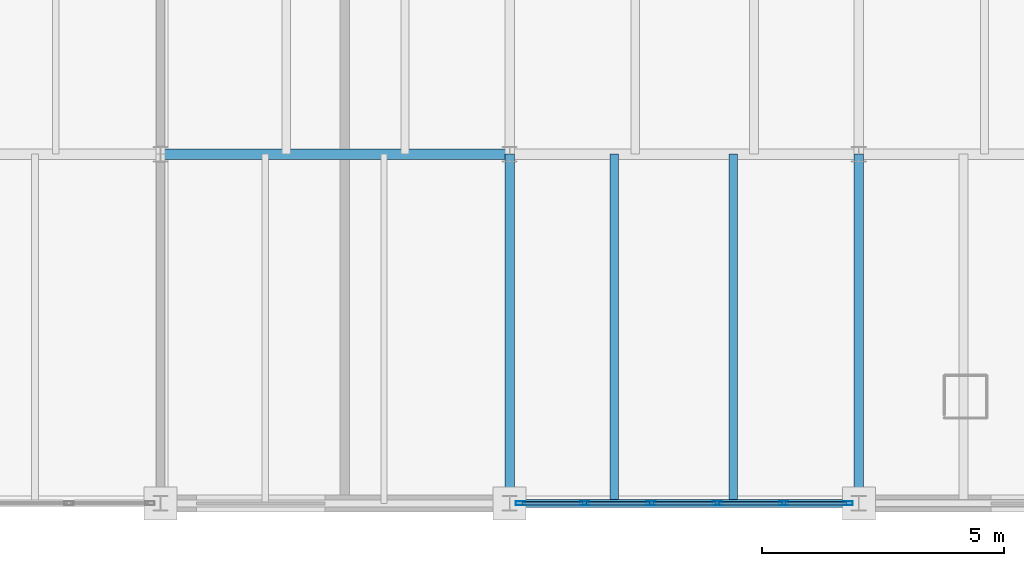
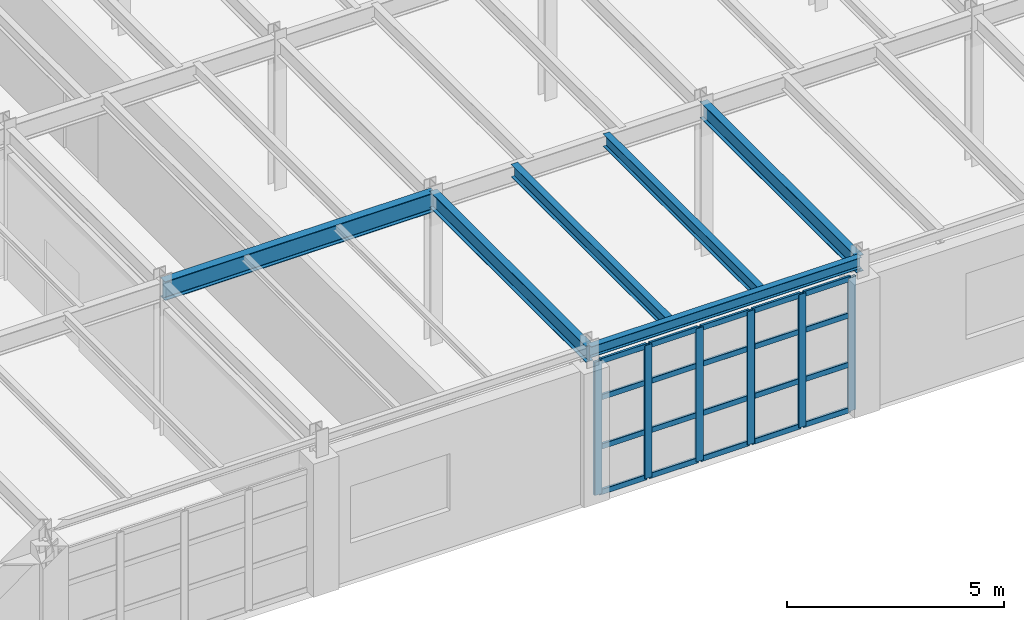
# One storey, part 23 of 137: 26 members, 6 beams, 1 element without a shape of its own.
"""IFC4 building model written with IfcOpenShell, lengths in metres."""

from ifc_helpers import new_model, si_unit, direction, frame, origin, origin_2d, place, context, subcontext, project, spatial, hollow_rectangle, i_section, extrude, material, layer, layer_set, material_profile, profile_set, type_object, element, aggregate, save


model = new_model("IFC4")

# Units and contexts
model_context = context("Model", 3, precision=1e-05, world=origin(), true_north=direction((0.0, 1.0)))
body_context = subcontext(model_context, "Body", "Model", "MODEL_VIEW")
ifc_project = project(units=[si_unit("LENGTHUNIT", "METRE"), si_unit("AREAUNIT", "SQUARE_METRE"), si_unit("VOLUMEUNIT", "CUBIC_METRE"), si_unit("PLANEANGLEUNIT", "RADIAN"), si_unit("MASSUNIT", "GRAM", prefix="KILO")], contexts=[model_context])

# Site, building, storey
site_placement = place(None, origin())
site = spatial("IfcSite", under=ifc_project, at=site_placement, CompositionType="ELEMENT")
building_placement = place(site_placement, origin())
building = spatial("IfcBuilding", under=site, at=building_placement, Name="Kemerveld Promenade Tramway Depot", CompositionType="ELEMENT")
storey_placement = place(building_placement, frame((0.0, 0.0, 5.39990234375)))
storey = spatial("IfcBuildingStorey", under=building, at=storey_placement, Name="L01", CompositionType="ELEMENT", Elevation=5.39990234375)

# Beams
ifc_material_1 = material(Name="Steel S355", Category="steel")
ifc_material_profile_1 = material_profile(ifc_material_1, i_section(OverallWidth=0.2099609375, OverallDepth=0.53662109375, WebThickness=0.0107421875, FlangeThickness=0.017333984375, FilletRadius=0.0126953125, at=origin_2d()), Name="533x210x101 UB")
ifc_profile_set_1 = profile_set([ifc_material_profile_1], Name="Steel S355")
beam_type_1 = type_object("IfcBeamType", Name="BM-G05", PredefinedType="BEAM", material=ifc_profile_set_1)
beam_1_placement = place(storey_placement, frame((14.39990234375, 7.199951171875, 3.99169921875), z_axis=(1.0, 0.0, 0.0), x_axis=(0.0, 1.0, 0.0)))
element("IfcBeam", 1, at=beam_1_placement, inside=storey, type_object=beam_type_1, Name="BMX-L01-03-04-B", PredefinedType="BEAM", context=body_context, shape_type="SweptSolid", body=[
    extrude(i_section(OverallWidth=0.2099609375, OverallDepth=0.53662109375, WebThickness=0.0107421875, FlangeThickness=0.017333984375, FilletRadius=0.0126953125, at=origin_2d()), origin(), (0.0, 0.0, 1.0), 7.2001953125),
])
ifc_material_profile_2 = material_profile(ifc_material_1, i_section(OverallWidth=0.19140625, OverallDepth=0.4599609375, WebThickness=0.010009765625, FlangeThickness=0.01611328125, FilletRadius=0.01025390625, at=origin_2d()), Name="457x191x82 UB")
ifc_profile_set_2 = profile_set([ifc_material_profile_2], Name="Steel S355")
beam_type_2 = type_object("IfcBeamType", Name="BM-G06", PredefinedType="BEAM", material=ifc_profile_set_2)
for number, where, z_axis, x_axis, name in (
    (2, (21.60009765625, 0.0, 4.030029296875), (0.0, 1.0, 0.0), (-1.0, 0.0, 0.0), "BMY-L01-04-A-B"),
    (3, (28.800048828125, 0.0, 4.030029296875), (0.0, 1.0, 0.0), (-1.0, 0.0, 0.0), "BMY-L01-05-A-B"),
):
    element("IfcBeam", number, at=place(storey_placement, frame(where, z_axis=z_axis, x_axis=x_axis)), inside=storey, type_object=beam_type_2, Name=name, PredefinedType="BEAM", context=body_context, shape_type="SweptSolid", body=[
        extrude(i_section(OverallWidth=0.19140625, OverallDepth=0.4599609375, WebThickness=0.010009765625, FlangeThickness=0.01611328125, FilletRadius=0.01025390625, at=origin_2d()), origin(), (0.0, 0.0, 1.0), 7.199951171875),
    ])
ifc_material_profile_3 = material_profile(ifc_material_1, i_section(OverallWidth=0.165771484375, OverallDepth=0.306640625, WebThickness=0.006591796875, FlangeThickness=0.01171875, FilletRadius=0.0087890625, at=origin_2d()), Name="305x165x46 UB")
ifc_profile_set_3 = profile_set([ifc_material_profile_3], Name="Steel S355")
beam_type_3 = type_object("IfcBeamType", Name="BM-G16", PredefinedType="BEAM", material=ifc_profile_set_3)
beam_2_placement = place(storey_placement, frame((21.60009765625, 0.0, 4.106689453125), z_axis=(1.0, 0.0, 0.0), x_axis=(0.0, 1.0, 0.0)))
element("IfcBeam", 4, at=beam_2_placement, inside=storey, type_object=beam_type_3, Name="BMX-L01-04-05-A", PredefinedType="BEAM", context=body_context, shape_type="SweptSolid", body=[
    extrude(i_section(OverallWidth=0.165771484375, OverallDepth=0.306640625, WebThickness=0.006591796875, FlangeThickness=0.01171875, FilletRadius=0.0087890625, at=origin_2d()), origin(), (0.0, 0.0, 1.0), 7.199951171875),
])
ifc_material_profile_4 = material_profile(ifc_material_1, i_section(OverallWidth=0.172119140625, OverallDepth=0.35791015625, WebThickness=0.008056640625, FlangeThickness=0.012939453125, FilletRadius=0.01025390625, at=origin_2d()), Name="356x171x57 UB")
ifc_profile_set_4 = profile_set([ifc_material_profile_4], Name="Steel S355")
beam_type_4 = type_object("IfcBeamType", Name="BM-J04", PredefinedType="JOIST", material=ifc_profile_set_4)
for number, where, z_axis, x_axis, name in (
    (5, (23.760009765625, 0.0, 4.0810546875), (0.0, 1.0, 0.0), (-1.0, 0.0, 0.0), "JST-L01-04-A-1"),
    (6, (26.2080078125, 0.0, 4.0810546875), (0.0, 1.0, 0.0), (-1.0, 0.0, 0.0), "JST-L01-04-A-2"),
):
    element("IfcBeam", number, at=place(storey_placement, frame(where, z_axis=z_axis, x_axis=x_axis)), inside=storey, type_object=beam_type_4, Name=name, PredefinedType="JOIST", context=body_context, shape_type="SweptSolid", body=[
        extrude(i_section(OverallWidth=0.172119140625, OverallDepth=0.35791015625, WebThickness=0.008056640625, FlangeThickness=0.012939453125, FilletRadius=0.01025390625, at=origin_2d()), origin(), (0.0, 0.0, 1.0), 7.199951171875),
    ])

# Curtain wall, members
ifc_material_2 = material(Name="Bronze anodised aluminium and solar glass", Category="aluminium")
ifc_layer = layer(ifc_material_2, 0.199951171875)
ifc_layer_set = layer_set([ifc_layer], Name="CW-SYS-08")
curtain_wall_type = type_object("IfcCurtainWallType", Name="CW-SYS-08", PredefinedType="USERDEFINED", material=ifc_layer_set)
curtain_wall_placement = place(storey_placement, origin())
curtain_wall = element("IfcCurtainWall", 7, at=curtain_wall_placement, inside=storey, type_object=curtain_wall_type, Name="CW-L01-V5S-05", ObjectType="GLAZED_CURTAIN_WALL", PredefinedType="USERDEFINED")
ifc_material_3 = material(Name="Bronze anodised aluminium", Category="aluminium")
ifc_material_profile_5 = material_profile(ifc_material_3, hollow_rectangle(XDim=0.074951171875, YDim=0.199951171875, WallThickness=0.0048828125, InnerFilletRadius=0.001953125, OuterFilletRadius=0.0048828125, at=origin_2d()), Name="CW-MUL-200x75")
ifc_profile_set_5 = profile_set([ifc_material_profile_5], Name="Bronze anodised aluminium")
member_type_1 = type_object("IfcMemberType", Name="CW-MUL-B", PredefinedType="MULLION", material=ifc_profile_set_5)
member_1_placement = place(storey_placement, frame((28.5791015625, 0.0, 0.0), z_axis=(0.0, 0.0, 1.0), x_axis=(0.0, -1.0, 0.0)))
member_1 = element("IfcMember", 8, at=member_1_placement, type_object=member_type_1, Name="CW08 mullion 1", PredefinedType="MULLION", context=body_context, shape_type="SweptSolid", body=[
    extrude(hollow_rectangle(XDim=0.074951171875, YDim=0.199951171875, WallThickness=0.0048828125, InnerFilletRadius=0.001953125, OuterFilletRadius=0.0048828125, at=origin_2d()), origin(), (0.0, 0.0, 1.0), 3.75),
])
member_2_placement = place(storey_placement, frame((27.25, 0.0, 0.0), z_axis=(0.0, 0.0, 1.0), x_axis=(0.0, -1.0, 0.0)))
member_2 = element("IfcMember", 9, at=member_2_placement, type_object=member_type_1, Name="CW08 mullion 2", PredefinedType="MULLION", context=body_context, shape_type="SweptSolid", body=[
    extrude(hollow_rectangle(XDim=0.074951171875, YDim=0.199951171875, WallThickness=0.0048828125, InnerFilletRadius=0.001953125, OuterFilletRadius=0.0048828125, at=origin_2d()), origin(), (0.0, 0.0, 1.0), 3.75),
])
member_3_placement = place(storey_placement, frame((25.88330078125, 0.0, 0.0), z_axis=(0.0, 0.0, 1.0), x_axis=(0.0, -1.0, 0.0)))
member_3 = element("IfcMember", 10, at=member_3_placement, type_object=member_type_1, Name="CW08 mullion 3", PredefinedType="MULLION", context=body_context, shape_type="SweptSolid", body=[
    extrude(hollow_rectangle(XDim=0.074951171875, YDim=0.199951171875, WallThickness=0.0048828125, InnerFilletRadius=0.001953125, OuterFilletRadius=0.0048828125, at=origin_2d()), origin(), (0.0, 0.0, 1.0), 3.75),
])
member_4_placement = place(storey_placement, frame((24.516845703125, 0.0, 0.0), z_axis=(0.0, 0.0, 1.0), x_axis=(0.0, -1.0, 0.0)))
member_4 = element("IfcMember", 11, at=member_4_placement, type_object=member_type_1, Name="CW08 mullion 4", PredefinedType="MULLION", context=body_context, shape_type="SweptSolid", body=[
    extrude(hollow_rectangle(XDim=0.074951171875, YDim=0.199951171875, WallThickness=0.0048828125, InnerFilletRadius=0.001953125, OuterFilletRadius=0.0048828125, at=origin_2d()), origin(), (0.0, 0.0, 1.0), 3.75),
])
member_5_placement = place(storey_placement, frame((23.150146484375, 0.0, 0.0), z_axis=(0.0, 0.0, 1.0), x_axis=(0.0, -1.0, 0.0)))
member_5 = element("IfcMember", 12, at=member_5_placement, type_object=member_type_1, Name="CW08 mullion 5", PredefinedType="MULLION", context=body_context, shape_type="SweptSolid", body=[
    extrude(hollow_rectangle(XDim=0.074951171875, YDim=0.199951171875, WallThickness=0.0048828125, InnerFilletRadius=0.001953125, OuterFilletRadius=0.0048828125, at=origin_2d()), origin(), (0.0, 0.0, 1.0), 3.75),
])
member_6_placement = place(storey_placement, frame((21.821044921875, 0.0, 0.0), z_axis=(0.0, 0.0, 1.0), x_axis=(0.0, -1.0, 0.0)))
member_6 = element("IfcMember", 13, at=member_6_placement, type_object=member_type_1, Name="CW08 mullion 6", PredefinedType="MULLION", context=body_context, shape_type="SweptSolid", body=[
    extrude(hollow_rectangle(XDim=0.074951171875, YDim=0.199951171875, WallThickness=0.0048828125, InnerFilletRadius=0.001953125, OuterFilletRadius=0.0048828125, at=origin_2d()), origin(), (0.0, 0.0, 1.0), 3.75),
])
ifc_material_profile_6 = material_profile(ifc_material_3, hollow_rectangle(XDim=0.06494140625, YDim=0.14990234375, WallThickness=0.00439453125, InnerFilletRadius=0.001953125, OuterFilletRadius=0.00439453125, at=origin_2d()), Name="CW-TRN-150x65")
ifc_profile_set_6 = profile_set([ifc_material_profile_6], Name="Bronze anodised aluminium")
member_type_2 = type_object("IfcMemberType", Name="CW-TRN-B", PredefinedType="USERDEFINED", material=ifc_profile_set_6)
member_7_placement = place(storey_placement, frame((28.54150390625, 0.0, 0.03271484375), z_axis=(-1.0, 0.0, 0.0), x_axis=(0.0, -1.0, 0.0)))
member_7 = element("IfcMember", 14, at=member_7_placement, type_object=member_type_2, Name="CW08 transom 1.1", ObjectType="TRANSOM", PredefinedType="USERDEFINED", context=body_context, shape_type="SweptSolid", body=[
    extrude(hollow_rectangle(XDim=0.06494140625, YDim=0.14990234375, WallThickness=0.00439453125, InnerFilletRadius=0.001953125, OuterFilletRadius=0.00439453125, at=origin_2d()), origin(), (0.0, 0.0, 1.0), 1.254150390625),
])
member_8_placement = place(storey_placement, frame((28.54150390625, 0.0, 1.31298828125), z_axis=(-1.0, 0.0, 0.0), x_axis=(0.0, -1.0, 0.0)))
member_8 = element("IfcMember", 15, at=member_8_placement, type_object=member_type_2, Name="CW08 transom 1.2", ObjectType="TRANSOM", PredefinedType="USERDEFINED", context=body_context, shape_type="SweptSolid", body=[
    extrude(hollow_rectangle(XDim=0.06494140625, YDim=0.14990234375, WallThickness=0.00439453125, InnerFilletRadius=0.001953125, OuterFilletRadius=0.00439453125, at=origin_2d()), origin(), (0.0, 0.0, 1.0), 1.254150390625),
])
member_9_placement = place(storey_placement, frame((28.54150390625, 0.0, 2.7001953125), z_axis=(-1.0, 0.0, 0.0), x_axis=(0.0, -1.0, 0.0)))
member_9 = element("IfcMember", 16, at=member_9_placement, type_object=member_type_2, Name="CW08 transom 1.3", ObjectType="TRANSOM", PredefinedType="USERDEFINED", context=body_context, shape_type="SweptSolid", body=[
    extrude(hollow_rectangle(XDim=0.06494140625, YDim=0.14990234375, WallThickness=0.00439453125, InnerFilletRadius=0.001953125, OuterFilletRadius=0.00439453125, at=origin_2d()), origin(), (0.0, 0.0, 1.0), 1.254150390625),
])
member_10_placement = place(storey_placement, frame((28.54150390625, 0.0, 3.717529296875), z_axis=(-1.0, 0.0, 0.0), x_axis=(0.0, -1.0, 0.0)))
member_10 = element("IfcMember", 17, at=member_10_placement, type_object=member_type_2, Name="CW08 transom 1.4", ObjectType="TRANSOM", PredefinedType="USERDEFINED", context=body_context, shape_type="SweptSolid", body=[
    extrude(hollow_rectangle(XDim=0.06494140625, YDim=0.14990234375, WallThickness=0.00439453125, InnerFilletRadius=0.001953125, OuterFilletRadius=0.00439453125, at=origin_2d()), origin(), (0.0, 0.0, 1.0), 1.254150390625),
])
member_11_placement = place(storey_placement, frame((27.21240234375, 0.0, 0.03271484375), z_axis=(-1.0, 0.0, 0.0), x_axis=(0.0, -1.0, 0.0)))
member_11 = element("IfcMember", 18, at=member_11_placement, type_object=member_type_2, Name="CW08 transom 2.1", ObjectType="TRANSOM", PredefinedType="USERDEFINED", context=body_context, shape_type="SweptSolid", body=[
    extrude(hollow_rectangle(XDim=0.06494140625, YDim=0.14990234375, WallThickness=0.00439453125, InnerFilletRadius=0.001953125, OuterFilletRadius=0.00439453125, at=origin_2d()), origin(), (0.0, 0.0, 1.0), 1.29150390625),
])
member_12_placement = place(storey_placement, frame((27.21240234375, 0.0, 1.31298828125), z_axis=(-1.0, 0.0, 0.0), x_axis=(0.0, -1.0, 0.0)))
member_12 = element("IfcMember", 19, at=member_12_placement, type_object=member_type_2, Name="CW08 transom 2.2", ObjectType="TRANSOM", PredefinedType="USERDEFINED", context=body_context, shape_type="SweptSolid", body=[
    extrude(hollow_rectangle(XDim=0.06494140625, YDim=0.14990234375, WallThickness=0.00439453125, InnerFilletRadius=0.001953125, OuterFilletRadius=0.00439453125, at=origin_2d()), origin(), (0.0, 0.0, 1.0), 1.29150390625),
])
member_13_placement = place(storey_placement, frame((27.21240234375, 0.0, 2.7001953125), z_axis=(-1.0, 0.0, 0.0), x_axis=(0.0, -1.0, 0.0)))
member_13 = element("IfcMember", 20, at=member_13_placement, type_object=member_type_2, Name="CW08 transom 2.3", ObjectType="TRANSOM", PredefinedType="USERDEFINED", context=body_context, shape_type="SweptSolid", body=[
    extrude(hollow_rectangle(XDim=0.06494140625, YDim=0.14990234375, WallThickness=0.00439453125, InnerFilletRadius=0.001953125, OuterFilletRadius=0.00439453125, at=origin_2d()), origin(), (0.0, 0.0, 1.0), 1.29150390625),
])
member_14_placement = place(storey_placement, frame((27.21240234375, 0.0, 3.717529296875), z_axis=(-1.0, 0.0, 0.0), x_axis=(0.0, -1.0, 0.0)))
member_14 = element("IfcMember", 21, at=member_14_placement, type_object=member_type_2, Name="CW08 transom 2.4", ObjectType="TRANSOM", PredefinedType="USERDEFINED", context=body_context, shape_type="SweptSolid", body=[
    extrude(hollow_rectangle(XDim=0.06494140625, YDim=0.14990234375, WallThickness=0.00439453125, InnerFilletRadius=0.001953125, OuterFilletRadius=0.00439453125, at=origin_2d()), origin(), (0.0, 0.0, 1.0), 1.29150390625),
])
member_15_placement = place(storey_placement, frame((25.845947265625, 0.0, 0.03271484375), z_axis=(-1.0, 0.0, 0.0), x_axis=(0.0, -1.0, 0.0)))
member_15 = element("IfcMember", 22, at=member_15_placement, type_object=member_type_2, Name="CW08 transom 3.1", ObjectType="TRANSOM", PredefinedType="USERDEFINED", context=body_context, shape_type="SweptSolid", body=[
    extrude(hollow_rectangle(XDim=0.06494140625, YDim=0.14990234375, WallThickness=0.00439453125, InnerFilletRadius=0.001953125, OuterFilletRadius=0.00439453125, at=origin_2d()), origin(), (0.0, 0.0, 1.0), 1.291748046875),
])
member_16_placement = place(storey_placement, frame((25.845947265625, 0.0, 1.31298828125), z_axis=(-1.0, 0.0, 0.0), x_axis=(0.0, -1.0, 0.0)))
member_16 = element("IfcMember", 23, at=member_16_placement, type_object=member_type_2, Name="CW08 transom 3.2", ObjectType="TRANSOM", PredefinedType="USERDEFINED", context=body_context, shape_type="SweptSolid", body=[
    extrude(hollow_rectangle(XDim=0.06494140625, YDim=0.14990234375, WallThickness=0.00439453125, InnerFilletRadius=0.001953125, OuterFilletRadius=0.00439453125, at=origin_2d()), origin(), (0.0, 0.0, 1.0), 1.291748046875),
])
member_17_placement = place(storey_placement, frame((25.845947265625, 0.0, 2.7001953125), z_axis=(-1.0, 0.0, 0.0), x_axis=(0.0, -1.0, 0.0)))
member_17 = element("IfcMember", 24, at=member_17_placement, type_object=member_type_2, Name="CW08 transom 3.3", ObjectType="TRANSOM", PredefinedType="USERDEFINED", context=body_context, shape_type="SweptSolid", body=[
    extrude(hollow_rectangle(XDim=0.06494140625, YDim=0.14990234375, WallThickness=0.00439453125, InnerFilletRadius=0.001953125, OuterFilletRadius=0.00439453125, at=origin_2d()), origin(), (0.0, 0.0, 1.0), 1.291748046875),
])
member_18_placement = place(storey_placement, frame((25.845947265625, 0.0, 3.717529296875), z_axis=(-1.0, 0.0, 0.0), x_axis=(0.0, -1.0, 0.0)))
member_18 = element("IfcMember", 25, at=member_18_placement, type_object=member_type_2, Name="CW08 transom 3.4", ObjectType="TRANSOM", PredefinedType="USERDEFINED", context=body_context, shape_type="SweptSolid", body=[
    extrude(hollow_rectangle(XDim=0.06494140625, YDim=0.14990234375, WallThickness=0.00439453125, InnerFilletRadius=0.001953125, OuterFilletRadius=0.00439453125, at=origin_2d()), origin(), (0.0, 0.0, 1.0), 1.291748046875),
])
member_19_placement = place(storey_placement, frame((24.479248046875, 0.0, 0.03271484375), z_axis=(-1.0, 0.0, 0.0), x_axis=(0.0, -1.0, 0.0)))
member_19 = element("IfcMember", 26, at=member_19_placement, type_object=member_type_2, Name="CW08 transom 4.1", ObjectType="TRANSOM", PredefinedType="USERDEFINED", context=body_context, shape_type="SweptSolid", body=[
    extrude(hollow_rectangle(XDim=0.06494140625, YDim=0.14990234375, WallThickness=0.00439453125, InnerFilletRadius=0.001953125, OuterFilletRadius=0.00439453125, at=origin_2d()), origin(), (0.0, 0.0, 1.0), 1.29150390625),
])
member_20_placement = place(storey_placement, frame((24.479248046875, 0.0, 1.31298828125), z_axis=(-1.0, 0.0, 0.0), x_axis=(0.0, -1.0, 0.0)))
member_20 = element("IfcMember", 27, at=member_20_placement, type_object=member_type_2, Name="CW08 transom 4.2", ObjectType="TRANSOM", PredefinedType="USERDEFINED", context=body_context, shape_type="SweptSolid", body=[
    extrude(hollow_rectangle(XDim=0.06494140625, YDim=0.14990234375, WallThickness=0.00439453125, InnerFilletRadius=0.001953125, OuterFilletRadius=0.00439453125, at=origin_2d()), origin(), (0.0, 0.0, 1.0), 1.29150390625),
])
member_21_placement = place(storey_placement, frame((24.479248046875, 0.0, 2.7001953125), z_axis=(-1.0, 0.0, 0.0), x_axis=(0.0, -1.0, 0.0)))
member_21 = element("IfcMember", 28, at=member_21_placement, type_object=member_type_2, Name="CW08 transom 4.3", ObjectType="TRANSOM", PredefinedType="USERDEFINED", context=body_context, shape_type="SweptSolid", body=[
    extrude(hollow_rectangle(XDim=0.06494140625, YDim=0.14990234375, WallThickness=0.00439453125, InnerFilletRadius=0.001953125, OuterFilletRadius=0.00439453125, at=origin_2d()), origin(), (0.0, 0.0, 1.0), 1.29150390625),
])
member_22_placement = place(storey_placement, frame((24.479248046875, 0.0, 3.717529296875), z_axis=(-1.0, 0.0, 0.0), x_axis=(0.0, -1.0, 0.0)))
member_22 = element("IfcMember", 29, at=member_22_placement, type_object=member_type_2, Name="CW08 transom 4.4", ObjectType="TRANSOM", PredefinedType="USERDEFINED", context=body_context, shape_type="SweptSolid", body=[
    extrude(hollow_rectangle(XDim=0.06494140625, YDim=0.14990234375, WallThickness=0.00439453125, InnerFilletRadius=0.001953125, OuterFilletRadius=0.00439453125, at=origin_2d()), origin(), (0.0, 0.0, 1.0), 1.29150390625),
])
member_23_placement = place(storey_placement, frame((23.11279296875, 0.0, 0.03271484375), z_axis=(-1.0, 0.0, 0.0), x_axis=(0.0, -1.0, 0.0)))
member_23 = element("IfcMember", 30, at=member_23_placement, type_object=member_type_2, Name="CW08 transom 5.1", ObjectType="TRANSOM", PredefinedType="USERDEFINED", context=body_context, shape_type="SweptSolid", body=[
    extrude(hollow_rectangle(XDim=0.06494140625, YDim=0.14990234375, WallThickness=0.00439453125, InnerFilletRadius=0.001953125, OuterFilletRadius=0.00439453125, at=origin_2d()), origin(), (0.0, 0.0, 1.0), 1.254150390625),
])
member_24_placement = place(storey_placement, frame((23.11279296875, 0.0, 1.31298828125), z_axis=(-1.0, 0.0, 0.0), x_axis=(0.0, -1.0, 0.0)))
member_24 = element("IfcMember", 31, at=member_24_placement, type_object=member_type_2, Name="CW08 transom 5.2", ObjectType="TRANSOM", PredefinedType="USERDEFINED", context=body_context, shape_type="SweptSolid", body=[
    extrude(hollow_rectangle(XDim=0.06494140625, YDim=0.14990234375, WallThickness=0.00439453125, InnerFilletRadius=0.001953125, OuterFilletRadius=0.00439453125, at=origin_2d()), origin(), (0.0, 0.0, 1.0), 1.254150390625),
])
member_25_placement = place(storey_placement, frame((23.11279296875, 0.0, 2.7001953125), z_axis=(-1.0, 0.0, 0.0), x_axis=(0.0, -1.0, 0.0)))
member_25 = element("IfcMember", 32, at=member_25_placement, type_object=member_type_2, Name="CW08 transom 5.3", ObjectType="TRANSOM", PredefinedType="USERDEFINED", context=body_context, shape_type="SweptSolid", body=[
    extrude(hollow_rectangle(XDim=0.06494140625, YDim=0.14990234375, WallThickness=0.00439453125, InnerFilletRadius=0.001953125, OuterFilletRadius=0.00439453125, at=origin_2d()), origin(), (0.0, 0.0, 1.0), 1.254150390625),
])
member_26_placement = place(storey_placement, frame((23.11279296875, 0.0, 3.717529296875), z_axis=(-1.0, 0.0, 0.0), x_axis=(0.0, -1.0, 0.0)))
member_26 = element("IfcMember", 33, at=member_26_placement, type_object=member_type_2, Name="CW08 transom 5.4", ObjectType="TRANSOM", PredefinedType="USERDEFINED", context=body_context, shape_type="SweptSolid", body=[
    extrude(hollow_rectangle(XDim=0.06494140625, YDim=0.14990234375, WallThickness=0.00439453125, InnerFilletRadius=0.001953125, OuterFilletRadius=0.00439453125, at=origin_2d()), origin(), (0.0, 0.0, 1.0), 1.254150390625),
])
aggregate(curtain_wall, [member_1, member_2, member_3, member_4, member_5, member_6, member_7, member_8, member_9, member_10, member_11, member_12, member_13, member_14, member_15, member_16, member_17, member_18, member_19, member_20, member_21, member_22, member_23, member_24, member_25, member_26])

save(model, "model.ifc")
